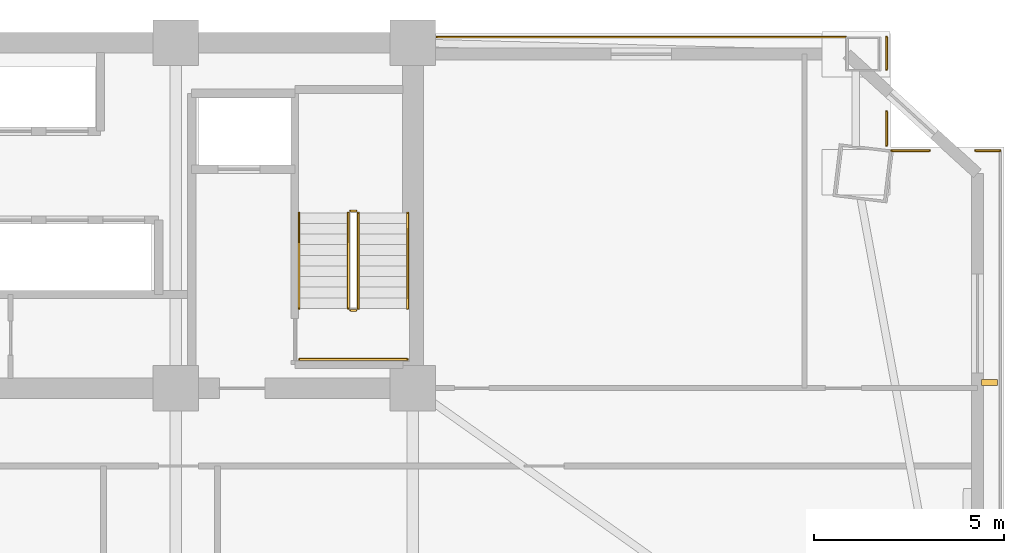
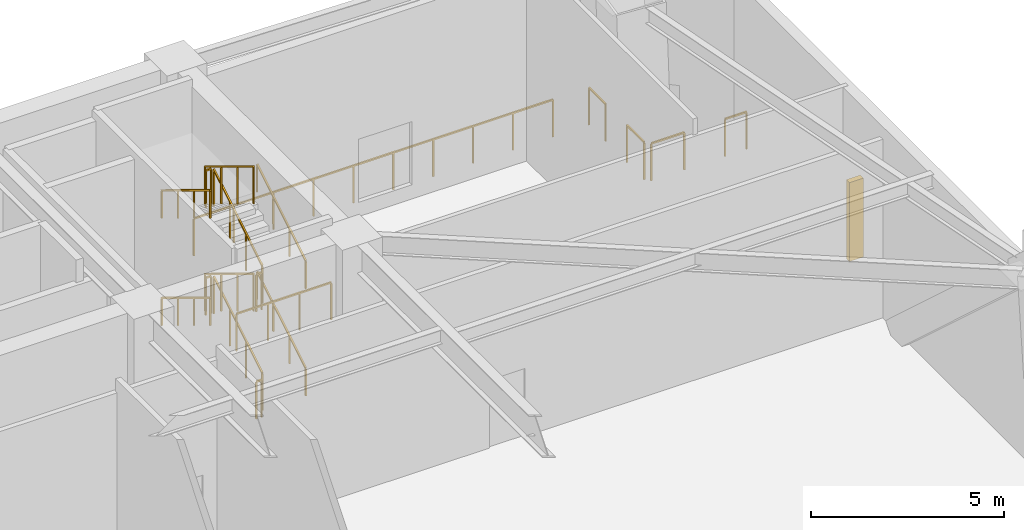
# One storey, part 22 of 22: 18 railings, 1 shading device.
"""IFC4 building model written with IfcOpenShell, lengths in metres."""

from ifc_helpers import new_model, si_unit, direction, frame, origin, origin_2d, place, context, subcontext, project, spatial, rectangle, extrude, source, transform, mapped, material, type_object, element, save


model = new_model("IFC4")

# Units and contexts
model_context = context("Model", 3, precision=1e-05, world=origin(), true_north=direction((0.0, 1.0)))
body_context = subcontext(model_context, "Body", "Model", "MODEL_VIEW")
ifc_project = project(units=[si_unit("LENGTHUNIT", "METRE"), si_unit("AREAUNIT", "SQUARE_METRE"), si_unit("VOLUMEUNIT", "CUBIC_METRE"), si_unit("PLANEANGLEUNIT", "RADIAN"), si_unit("MASSUNIT", "GRAM", prefix="KILO")], contexts=[model_context])

# Site, building, storey
site_placement = place(None, origin())
site = spatial("IfcSite", under=ifc_project, at=site_placement, CompositionType="ELEMENT")
building_placement = place(site_placement, origin())
building = spatial("IfcBuilding", under=site, at=building_placement, Name="Giltprow Tower", CompositionType="ELEMENT")
storey_placement = place(building_placement, frame((0.0, 0.0, 130.89990234375)))
storey = spatial("IfcBuildingStorey", under=building, at=storey_placement, Name="L32", CompositionType="ELEMENT", Elevation=130.89990234375)

# Railings
ifc_material = material(Name="Anodized bronze", Category="metal")
railing_type_1 = type_object("IfcRailingType", Name="RAIL-BALC-GUARD-1200", PredefinedType="BALUSTRADE", material=ifc_material)
railing_1_placement = place(storey_placement, frame((51.18505859375, 46.699951171875, 0.0)))
element("IfcRailing", 1, at=railing_1_placement, inside=storey, type_object=railing_type_1, Name="L32 Corner Apron Edge Balustrade 11", PredefinedType="BALUSTRADE", context=body_context, shape_type="SweptSolid", body=[
    extrude(rectangle(XDim=0.048095703125, YDim=0.048095703125, at=origin_2d()), frame((0.0, 0.0, 1.17578125), z_axis=(1.0, 0.0, 0.0), x_axis=(0.0, 1.0, 0.0)), (0.0, 0.0, 1.0), 10.760009765625),
    extrude(rectangle(XDim=0.0419921875, YDim=0.0419921875, at=origin_2d()), origin(), (0.0, 0.0, 1.0), 1.15185546875),
    extrude(rectangle(XDim=0.0419921875, YDim=0.0419921875, at=origin_2d()), frame((1.195556640625, 0.0, 0.0)), (0.0, 0.0, 1.0), 1.15185546875),
    extrude(rectangle(XDim=0.0419921875, YDim=0.0419921875, at=origin_2d()), frame((2.39111328125, 0.0, 0.0)), (0.0, 0.0, 1.0), 1.15185546875),
    extrude(rectangle(XDim=0.0419921875, YDim=0.0419921875, at=origin_2d()), frame((3.586669921875, 0.0, 0.0)), (0.0, 0.0, 1.0), 1.15185546875),
    extrude(rectangle(XDim=0.0419921875, YDim=0.0419921875, at=origin_2d()), frame((4.7822265625, 0.0, 0.0)), (0.0, 0.0, 1.0), 1.15185546875),
    extrude(rectangle(XDim=0.0419921875, YDim=0.0419921875, at=origin_2d()), frame((5.977783203125, 0.0, 0.0)), (0.0, 0.0, 1.0), 1.15185546875),
    extrude(rectangle(XDim=0.0419921875, YDim=0.0419921875, at=origin_2d()), frame((7.17333984375, 0.0, 0.0)), (0.0, 0.0, 1.0), 1.15185546875),
    extrude(rectangle(XDim=0.0419921875, YDim=0.0419921875, at=origin_2d()), frame((8.368896484375, 0.0, 0.0)), (0.0, 0.0, 1.0), 1.15185546875),
    extrude(rectangle(XDim=0.0419921875, YDim=0.0419921875, at=origin_2d()), frame((9.564453125, 0.0, 0.0)), (0.0, 0.0, 1.0), 1.15185546875),
    extrude(rectangle(XDim=0.0419921875, YDim=0.0419921875, at=origin_2d()), frame((10.760009765625, 0.0, 0.0)), (0.0, 0.0, 1.0), 1.15185546875),
])
railing_2_placement = place(storey_placement, frame((63.030029296875, 46.699951171875, 0.0)))
element("IfcRailing", 2, at=railing_2_placement, inside=storey, type_object=railing_type_1, Name="L32 Corner Apron Edge Balustrade 12", PredefinedType="BALUSTRADE", context=body_context, shape_type="SweptSolid", body=[
    extrude(rectangle(XDim=0.048095703125, YDim=0.048095703125, at=origin_2d()), frame((0.0, 0.0, 1.17578125), z_axis=(0.0, -1.0, 0.0), x_axis=(1.0, 0.0, 0.0)), (0.0, 0.0, 1.0), 0.85302734375),
    extrude(rectangle(XDim=0.0419921875, YDim=0.0419921875, at=origin_2d()), origin(), (0.0, 0.0, 1.0), 1.15185546875),
    extrude(rectangle(XDim=0.0419921875, YDim=0.0419921875, at=origin_2d()), frame((0.0, -0.85302734375, 0.0)), (0.0, 0.0, 1.0), 1.15185546875),
])
railing_3_placement = place(storey_placement, frame((63.030029296875, 44.736083984375, 0.0)))
element("IfcRailing", 3, at=railing_3_placement, inside=storey, type_object=railing_type_1, Name="L32 Corner Apron Edge Balustrade 13", PredefinedType="BALUSTRADE", context=body_context, shape_type="SweptSolid", body=[
    extrude(rectangle(XDim=0.048095703125, YDim=0.048095703125, at=origin_2d()), frame((0.0, 0.0, 1.17578125), z_axis=(0.0, -1.0, 0.0), x_axis=(1.0, 0.0, 0.0)), (0.0, 0.0, 1.0), 0.89208984375),
    extrude(rectangle(XDim=0.0419921875, YDim=0.0419921875, at=origin_2d()), origin(), (0.0, 0.0, 1.0), 1.15185546875),
    extrude(rectangle(XDim=0.0419921875, YDim=0.0419921875, at=origin_2d()), frame((0.0, -0.89208984375, 0.0)), (0.0, 0.0, 1.0), 1.15185546875),
])
railing_4_placement = place(storey_placement, frame((63.1650390625, 43.708984375, 0.0)))
element("IfcRailing", 4, at=railing_4_placement, inside=storey, type_object=railing_type_1, Name="L32 Corner Apron Edge Balustrade 14", PredefinedType="BALUSTRADE", context=body_context, shape_type="SweptSolid", body=[
    extrude(rectangle(XDim=0.048095703125, YDim=0.048095703125, at=origin_2d()), frame((0.0, 0.0, 1.17578125), z_axis=(1.0, 0.0, 0.0), x_axis=(0.0, 1.0, 0.0)), (0.0, 0.0, 1.0), 0.990966796875),
    extrude(rectangle(XDim=0.0419921875, YDim=0.0419921875, at=origin_2d()), origin(), (0.0, 0.0, 1.0), 1.15185546875),
    extrude(rectangle(XDim=0.0419921875, YDim=0.0419921875, at=origin_2d()), frame((0.990966796875, 0.0, 0.0)), (0.0, 0.0, 1.0), 1.15185546875),
])
railing_5_placement = place(storey_placement, frame((65.3720703125, 43.708984375, 0.0)))
element("IfcRailing", 5, at=railing_5_placement, inside=storey, type_object=railing_type_1, Name="L32 Corner Apron Edge Balustrade 15", PredefinedType="BALUSTRADE", context=body_context, shape_type="SweptSolid", body=[
    extrude(rectangle(XDim=0.048095703125, YDim=0.048095703125, at=origin_2d()), frame((0.0, 0.0, 1.17578125), z_axis=(1.0, 0.0, 0.0), x_axis=(0.0, 1.0, 0.0)), (0.0, 0.0, 1.0), 0.64892578125),
    extrude(rectangle(XDim=0.0419921875, YDim=0.0419921875, at=origin_2d()), origin(), (0.0, 0.0, 1.0), 1.15185546875),
    extrude(rectangle(XDim=0.0419921875, YDim=0.0419921875, at=origin_2d()), frame((0.64892578125, 0.0, 0.0)), (0.0, 0.0, 1.0), 1.15185546875),
])
railing_type_2 = type_object("IfcRailingType", Name="RAIL-STAIR-GUARD-1200", PredefinedType="GUARDRAIL", material=ifc_material)
railing_6_placement = place(storey_placement, frame((49.110107421875, 39.550048828125, 0.170166015625)))
element("IfcRailing", 6, at=railing_6_placement, inside=storey, type_object=railing_type_2, Name="L32 ST-3 stair guard 1", PredefinedType="GUARDRAIL", context=body_context, shape_type="SweptSolid", body=[
    extrude(rectangle(XDim=0.048095703125, YDim=0.048095703125, at=origin_2d()), frame((0.0, 0.0, 1.17578125), z_axis=(0.0, 0.85478489116, 0.518982456201), x_axis=(-1.0, 0.0, 0.0)), (0.0, 0.0, 1.0), 2.9482421875),
    extrude(rectangle(XDim=0.0419921875, YDim=0.0419921875, at=origin_2d()), origin(), (0.0, 0.0, 1.0), 1.15185546875),
    extrude(rectangle(XDim=0.0419921875, YDim=0.0419921875, at=origin_2d()), frame((0.0, 0.840087890625, 0.510009765625)), (0.0, 0.0, 1.0), 1.15185546875),
    extrude(rectangle(XDim=0.0419921875, YDim=0.0419921875, at=origin_2d()), frame((0.0, 1.679931640625, 1.02001953125)), (0.0, 0.0, 1.0), 1.15185546875),
    extrude(rectangle(XDim=0.0419921875, YDim=0.0419921875, at=origin_2d()), frame((0.0, 2.52001953125, 1.530029296875)), (0.0, 0.0, 1.0), 1.15185546875),
])
railing_7_placement = place(storey_placement, frame((49.06005859375, 42.1201171875, 1.7001953125)))
element("IfcRailing", 7, at=railing_7_placement, inside=storey, type_object=railing_type_2, Name="L32 ST-3 stair guard 2", PredefinedType="GUARDRAIL", context=body_context, shape_type="SweptSolid", body=[
    extrude(rectangle(XDim=0.048095703125, YDim=0.048095703125, at=origin_2d()), frame((0.0, 0.0, 1.17578125), z_axis=(-1.0, 0.0, 0.0), x_axis=(0.0, -1.0, 0.0)), (0.0, 0.0, 1.0), 0.16015625),
    extrude(rectangle(XDim=0.0419921875, YDim=0.0419921875, at=origin_2d()), origin(), (0.0, 0.0, 1.0), 1.15185546875),
    extrude(rectangle(XDim=0.0419921875, YDim=0.0419921875, at=origin_2d()), frame((-0.16015625, 0.0, 0.0)), (0.0, 0.0, 1.0), 1.15185546875),
])
railing_8_placement = place(storey_placement, frame((48.85009765625, 42.070068359375, 1.8701171875)))
element("IfcRailing", 8, at=railing_8_placement, inside=storey, type_object=railing_type_2, Name="L32 ST-3 stair guard 3", PredefinedType="GUARDRAIL", context=body_context, shape_type="SweptSolid", body=[
    extrude(rectangle(XDim=0.048095703125, YDim=0.048095703125, at=origin_2d()), frame((0.0, 0.0, 1.17578125), z_axis=(0.0, -0.85478489116, 0.518982456201), x_axis=(1.0, 0.0, 0.0)), (0.0, 0.0, 1.0), 2.9482421875),
    extrude(rectangle(XDim=0.0419921875, YDim=0.0419921875, at=origin_2d()), origin(), (0.0, 0.0, 1.0), 1.15185546875),
    extrude(rectangle(XDim=0.0419921875, YDim=0.0419921875, at=origin_2d()), frame((0.0, -0.840087890625, 0.510009765625)), (0.0, 0.0, 1.0), 1.15185546875),
    extrude(rectangle(XDim=0.0419921875, YDim=0.0419921875, at=origin_2d()), frame((0.0, -1.679931640625, 1.02001953125)), (0.0, 0.0, 1.0), 1.15185546875),
    extrude(rectangle(XDim=0.0419921875, YDim=0.0419921875, at=origin_2d()), frame((0.0, -2.52001953125, 1.530029296875)), (0.0, 0.0, 1.0), 1.15185546875),
])
railing_9_placement = place(storey_placement, frame((49.06005859375, 39.5, 3.400146484375)))
element("IfcRailing", 9, at=railing_9_placement, inside=storey, type_object=railing_type_2, Name="L32 ST-3 stair guard 4", PredefinedType="GUARDRAIL", context=body_context, shape_type="SweptSolid", body=[
    extrude(rectangle(XDim=0.048095703125, YDim=0.048095703125, at=origin_2d()), frame((0.0, 0.0, 1.17578125), z_axis=(-1.0, 0.0, 0.0), x_axis=(0.0, -1.0, 0.0)), (0.0, 0.0, 1.0), 0.16015625),
    extrude(rectangle(XDim=0.0419921875, YDim=0.0419921875, at=origin_2d()), origin(), (0.0, 0.0, 1.0), 1.15185546875),
    extrude(rectangle(XDim=0.0419921875, YDim=0.0419921875, at=origin_2d()), frame((-0.16015625, 0.0, 0.0)), (0.0, 0.0, 1.0), 1.15185546875),
])
railing_10_placement = place(storey_placement, frame((49.110107421875, 39.550048828125, 3.570068359375)))
element("IfcRailing", 10, at=railing_10_placement, inside=storey, type_object=railing_type_2, Name="L32 ST-3 stair guard 5", PredefinedType="GUARDRAIL", context=body_context, shape_type="SweptSolid", body=[
    extrude(rectangle(XDim=0.048095703125, YDim=0.048095703125, at=origin_2d()), frame((0.0, 0.0, 1.17578125), z_axis=(0.0, 0.85478489116, 0.518982456201), x_axis=(-1.0, 0.0, 0.0)), (0.0, 0.0, 1.0), 2.9482421875),
    extrude(rectangle(XDim=0.0419921875, YDim=0.0419921875, at=origin_2d()), origin(), (0.0, 0.0, 1.0), 1.15185546875),
    extrude(rectangle(XDim=0.0419921875, YDim=0.0419921875, at=origin_2d()), frame((0.0, 0.840087890625, 0.510009765625)), (0.0, 0.0, 1.0), 1.15185546875),
    extrude(rectangle(XDim=0.0419921875, YDim=0.0419921875, at=origin_2d()), frame((0.0, 1.679931640625, 1.02001953125)), (0.0, 0.0, 1.0), 1.15185546875),
    extrude(rectangle(XDim=0.0419921875, YDim=0.0419921875, at=origin_2d()), frame((0.0, 2.52001953125, 1.530029296875)), (0.0, 0.0, 1.0), 1.15185546875),
])
railing_11_placement = place(storey_placement, frame((49.06005859375, 42.1201171875, 5.10009765625)))
element("IfcRailing", 11, at=railing_11_placement, inside=storey, type_object=railing_type_2, Name="L32 ST-3 stair guard 6", PredefinedType="GUARDRAIL", context=body_context, shape_type="SweptSolid", body=[
    extrude(rectangle(XDim=0.048095703125, YDim=0.048095703125, at=origin_2d()), frame((0.0, 0.0, 1.17578125), z_axis=(-1.0, 0.0, 0.0), x_axis=(0.0, -1.0, 0.0)), (0.0, 0.0, 1.0), 0.16015625),
    extrude(rectangle(XDim=0.0419921875, YDim=0.0419921875, at=origin_2d()), origin(), (0.0, 0.0, 1.0), 1.15185546875),
    extrude(rectangle(XDim=0.0419921875, YDim=0.0419921875, at=origin_2d()), frame((-0.16015625, 0.0, 0.0)), (0.0, 0.0, 1.0), 1.15185546875),
])
railing_12_placement = place(storey_placement, frame((48.85009765625, 42.070068359375, 5.27001953125)))
element("IfcRailing", 12, at=railing_12_placement, inside=storey, type_object=railing_type_2, Name="L32 ST-3 stair guard 7", PredefinedType="GUARDRAIL", context=body_context, shape_type="SweptSolid", body=[
    extrude(rectangle(XDim=0.048095703125, YDim=0.048095703125, at=origin_2d()), frame((0.0, 0.0, 1.17578125), z_axis=(0.0, -0.85478489116, 0.518982456201), x_axis=(1.0, 0.0, 0.0)), (0.0, 0.0, 1.0), 2.9482421875),
    extrude(rectangle(XDim=0.0419921875, YDim=0.0419921875, at=origin_2d()), origin(), (0.0, 0.0, 1.0), 1.15185546875),
    extrude(rectangle(XDim=0.0419921875, YDim=0.0419921875, at=origin_2d()), frame((0.0, -0.840087890625, 0.510009765625)), (0.0, 0.0, 1.0), 1.15185546875),
    extrude(rectangle(XDim=0.0419921875, YDim=0.0419921875, at=origin_2d()), frame((0.0, -1.679931640625, 1.02001953125)), (0.0, 0.0, 1.0), 1.15185546875),
    extrude(rectangle(XDim=0.0419921875, YDim=0.0419921875, at=origin_2d()), frame((0.0, -2.52001953125, 1.530029296875)), (0.0, 0.0, 1.0), 1.15185546875),
])
railing_13_placement = place(storey_placement, frame((49.06005859375, 39.5, 0.0)))
element("IfcRailing", 13, at=railing_13_placement, inside=storey, type_object=railing_type_2, Name="L32 ST-3 stair guard 8", PredefinedType="GUARDRAIL", context=body_context, shape_type="SweptSolid", body=[
    extrude(rectangle(XDim=0.048095703125, YDim=0.048095703125, at=origin_2d()), frame((0.0, 0.0, 1.17578125), z_axis=(-1.0, 0.0, 0.0), x_axis=(0.0, -1.0, 0.0)), (0.0, 0.0, 1.0), 0.16015625),
    extrude(rectangle(XDim=0.0419921875, YDim=0.0419921875, at=origin_2d()), origin(), (0.0, 0.0, 1.0), 1.15185546875),
    extrude(rectangle(XDim=0.0419921875, YDim=0.0419921875, at=origin_2d()), frame((-0.16015625, 0.0, 0.0)), (0.0, 0.0, 1.0), 1.15185546875),
])
railing_14_placement = place(storey_placement, frame((47.56005859375, 38.2099609375, 3.400146484375)))
element("IfcRailing", 14, at=railing_14_placement, inside=storey, type_object=railing_type_2, Name="L32 ST-3 Mid-Landing Guard 2", PredefinedType="GUARDRAIL", context=body_context, shape_type="SweptSolid", body=[
    extrude(rectangle(XDim=0.048095703125, YDim=0.048095703125, at=origin_2d()), frame((0.0, 0.0, 1.17578125), z_axis=(1.0, 0.0, 0.0), x_axis=(0.0, 1.0, 0.0)), (0.0, 0.0, 1.0), 2.83984375),
    extrude(rectangle(XDim=0.0419921875, YDim=0.0419921875, at=origin_2d()), origin(), (0.0, 0.0, 1.0), 1.15185546875),
    extrude(rectangle(XDim=0.0419921875, YDim=0.0419921875, at=origin_2d()), frame((0.946533203125, 0.0, 0.0)), (0.0, 0.0, 1.0), 1.15185546875),
    extrude(rectangle(XDim=0.0419921875, YDim=0.0419921875, at=origin_2d()), frame((1.893310546875, 0.0, 0.0)), (0.0, 0.0, 1.0), 1.15185546875),
    extrude(rectangle(XDim=0.0419921875, YDim=0.0419921875, at=origin_2d()), frame((2.83984375, 0.0, 0.0)), (0.0, 0.0, 1.0), 1.15185546875),
])
railing_type_3 = type_object("IfcRailingType", Name="RAIL-STAIR-HAND-900", PredefinedType="HANDRAIL", material=ifc_material)
railing_15_placement = place(storey_placement, frame((50.409912109375, 39.550048828125, 0.170166015625)))
element("IfcRailing", 15, at=railing_15_placement, inside=storey, type_object=railing_type_3, Name="L32 ST-3 stair handrail 1", PredefinedType="HANDRAIL", context=body_context, shape_type="SweptSolid", body=[
    extrude(rectangle(XDim=0.048095703125, YDim=0.048095703125, at=origin_2d()), frame((0.0, 0.0, 0.8759765625), z_axis=(0.0, 0.85478489116, 0.518982456201), x_axis=(-1.0, 0.0, 0.0)), (0.0, 0.0, 1.0), 2.9482421875),
    extrude(rectangle(XDim=0.0419921875, YDim=0.0419921875, at=origin_2d()), origin(), (0.0, 0.0, 1.0), 0.851806640625),
    extrude(rectangle(XDim=0.0419921875, YDim=0.0419921875, at=origin_2d()), frame((0.0, 0.840087890625, 0.510009765625)), (0.0, 0.0, 1.0), 0.851806640625),
    extrude(rectangle(XDim=0.0419921875, YDim=0.0419921875, at=origin_2d()), frame((0.0, 1.679931640625, 1.02001953125)), (0.0, 0.0, 1.0), 0.851806640625),
    extrude(rectangle(XDim=0.0419921875, YDim=0.0419921875, at=origin_2d()), frame((0.0, 2.52001953125, 1.530029296875)), (0.0, 0.0, 1.0), 0.851806640625),
])
railing_16_placement = place(storey_placement, frame((47.550048828125, 42.070068359375, 1.8701171875)))
element("IfcRailing", 16, at=railing_16_placement, inside=storey, type_object=railing_type_3, Name="L32 ST-3 stair handrail 2", PredefinedType="HANDRAIL", context=body_context, shape_type="SweptSolid", body=[
    extrude(rectangle(XDim=0.048095703125, YDim=0.048095703125, at=origin_2d()), frame((0.0, 0.0, 0.8759765625), z_axis=(0.0, -0.85478489116, 0.518982456201), x_axis=(1.0, 0.0, 0.0)), (0.0, 0.0, 1.0), 2.9482421875),
    extrude(rectangle(XDim=0.0419921875, YDim=0.0419921875, at=origin_2d()), origin(), (0.0, 0.0, 1.0), 0.851806640625),
    extrude(rectangle(XDim=0.0419921875, YDim=0.0419921875, at=origin_2d()), frame((0.0, -0.840087890625, 0.510009765625)), (0.0, 0.0, 1.0), 0.851806640625),
    extrude(rectangle(XDim=0.0419921875, YDim=0.0419921875, at=origin_2d()), frame((0.0, -1.679931640625, 1.02001953125)), (0.0, 0.0, 1.0), 0.851806640625),
    extrude(rectangle(XDim=0.0419921875, YDim=0.0419921875, at=origin_2d()), frame((0.0, -2.52001953125, 1.530029296875)), (0.0, 0.0, 1.0), 0.851806640625),
])
railing_17_placement = place(storey_placement, frame((50.409912109375, 39.550048828125, 3.570068359375)))
element("IfcRailing", 17, at=railing_17_placement, inside=storey, type_object=railing_type_3, Name="L32 ST-3 stair handrail 3", PredefinedType="HANDRAIL", context=body_context, shape_type="SweptSolid", body=[
    extrude(rectangle(XDim=0.048095703125, YDim=0.048095703125, at=origin_2d()), frame((0.0, 0.0, 0.8759765625), z_axis=(0.0, 0.85478489116, 0.518982456201), x_axis=(-1.0, 0.0, 0.0)), (0.0, 0.0, 1.0), 2.9482421875),
    extrude(rectangle(XDim=0.0419921875, YDim=0.0419921875, at=origin_2d()), origin(), (0.0, 0.0, 1.0), 0.851806640625),
    extrude(rectangle(XDim=0.0419921875, YDim=0.0419921875, at=origin_2d()), frame((0.0, 0.840087890625, 0.510009765625)), (0.0, 0.0, 1.0), 0.851806640625),
    extrude(rectangle(XDim=0.0419921875, YDim=0.0419921875, at=origin_2d()), frame((0.0, 1.679931640625, 1.02001953125)), (0.0, 0.0, 1.0), 0.851806640625),
    extrude(rectangle(XDim=0.0419921875, YDim=0.0419921875, at=origin_2d()), frame((0.0, 2.52001953125, 1.530029296875)), (0.0, 0.0, 1.0), 0.851806640625),
])
railing_18_placement = place(storey_placement, frame((47.550048828125, 42.070068359375, 5.27001953125)))
element("IfcRailing", 18, at=railing_18_placement, inside=storey, type_object=railing_type_3, Name="L32 ST-3 stair handrail 4", PredefinedType="HANDRAIL", context=body_context, shape_type="SweptSolid", body=[
    extrude(rectangle(XDim=0.048095703125, YDim=0.048095703125, at=origin_2d()), frame((0.0, 0.0, 0.8759765625), z_axis=(0.0, -0.85478489116, 0.518982456201), x_axis=(1.0, 0.0, 0.0)), (0.0, 0.0, 1.0), 2.9482421875),
    extrude(rectangle(XDim=0.0419921875, YDim=0.0419921875, at=origin_2d()), origin(), (0.0, 0.0, 1.0), 0.851806640625),
    extrude(rectangle(XDim=0.0419921875, YDim=0.0419921875, at=origin_2d()), frame((0.0, -0.840087890625, 0.510009765625)), (0.0, 0.0, 1.0), 0.851806640625),
    extrude(rectangle(XDim=0.0419921875, YDim=0.0419921875, at=origin_2d()), frame((0.0, -1.679931640625, 1.02001953125)), (0.0, 0.0, 1.0), 0.851806640625),
    extrude(rectangle(XDim=0.0419921875, YDim=0.0419921875, at=origin_2d()), frame((0.0, -2.52001953125, 1.530029296875)), (0.0, 0.0, 1.0), 0.851806640625),
])

# Shading device
shading_device_type = type_object("IfcShadingDeviceType", Name="SHD-FIN-420", PredefinedType="USERDEFINED", material=ifc_material)
shared_shape = source(origin(), body_context, "Body", "SweptSolid", [
    extrude(rectangle(XDim=0.419921875, YDim=0.159912109375, at=origin_2d()), origin(), (0.0, 0.0, 1.0), 2.5),
])
shading_device_placement = place(storey_placement, frame((65.740966796875, 37.60498046875, 0.35009765625), z_axis=(0.0, 0.0, 1.0), x_axis=(1.0, 0.0, 0.0)))
element("IfcShadingDevice", 19, at=shading_device_placement, inside=storey, type_object=shading_device_type, Name="L32 E Bronze Vertical Fin 2-1", ObjectType="FIN", PredefinedType="USERDEFINED", context=body_context, shape_type="MappedRepresentation", body=[
    mapped(shared_shape, transform((0.0, 0.0, 0.0), x_axis=(1.0, 0.0, 0.0), y_axis=(0.0, 1.0, 0.0), z_axis=(0.0, 0.0, 1.0), scale=1.0)),
])

save(model, "model.ifc")
